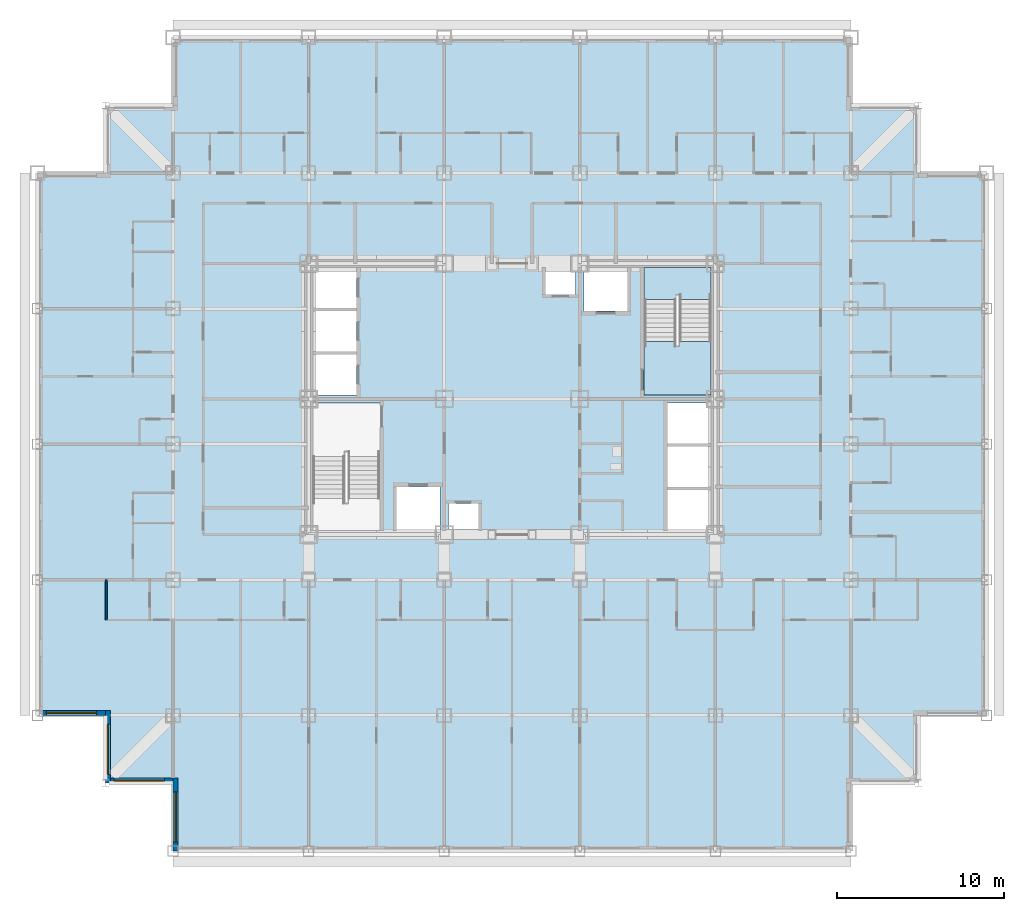
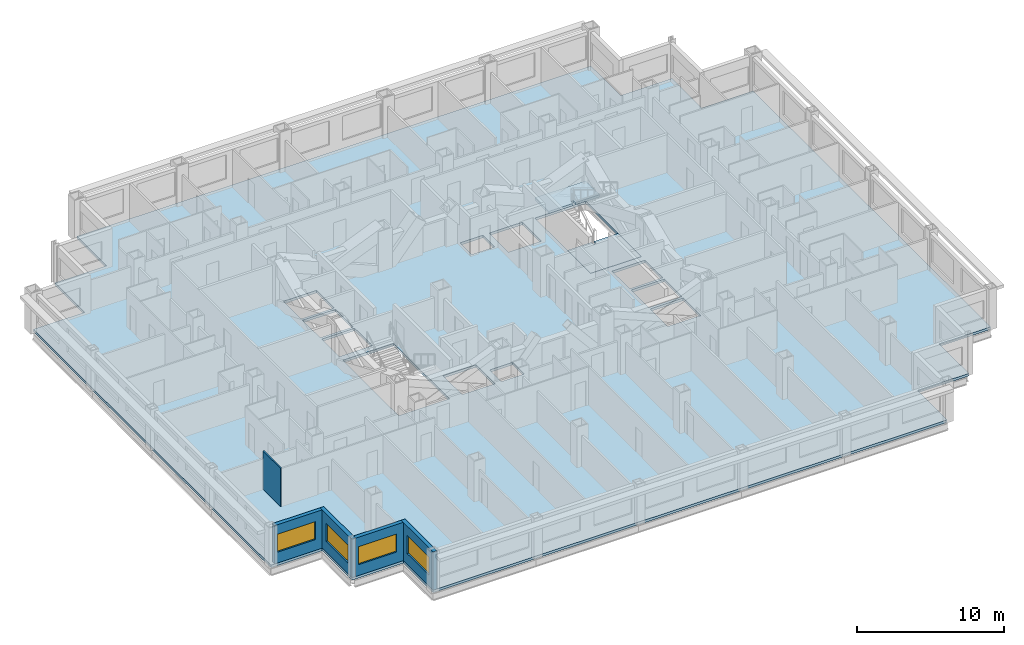
# One storey, part 3 of 14: 5 walls, 4 windows, 3 slabs, 4 openings, 1 element without a shape of its own.
"""IFC4 building model written with IfcOpenShell, lengths in metres."""

from ifc_helpers import new_model, si_unit, direction, frame, frame_2d, origin, place, context, subcontext, project, spatial, polyline, rectangle, outline, extrude, material, layer, layer_set, type_object, element, fill, aggregate, save


model = new_model("IFC4")

# Units and contexts
model_context = context("Model", 3, precision=1e-05, world=origin(), true_north=direction((0.0, 1.0)))
body_context = subcontext(model_context, "Body", "Model", "MODEL_VIEW")
ifc_project = project(units=[si_unit("LENGTHUNIT", "METRE"), si_unit("AREAUNIT", "SQUARE_METRE"), si_unit("VOLUMEUNIT", "CUBIC_METRE"), si_unit("PLANEANGLEUNIT", "RADIAN"), si_unit("MASSUNIT", "GRAM", prefix="KILO")], contexts=[model_context])

# Site, building, storey
site_placement = place(None, origin())
site = spatial("IfcSite", under=ifc_project, at=site_placement, CompositionType="ELEMENT")
building_placement = place(site_placement, origin())
building = spatial("IfcBuilding", under=site, at=building_placement, Name="Kopane Lantern Tower", CompositionType="ELEMENT")
storey_placement = place(building_placement, frame((0.0, 0.0, 127.199951171875)))
storey = spatial("IfcBuildingStorey", under=building, at=storey_placement, Name="L32", CompositionType="ELEMENT", Elevation=127.199951171875)

# Slab
ifc_material_1 = material(Name="Concrete C40/50", Category="concrete")
ifc_layer_1 = layer(ifc_material_1, 0.2099609375)
ifc_layer_set_1 = layer_set([ifc_layer_1], Name="SLAB 210 COMPOSITE")
slab_type_1 = type_object("IfcSlabType", Name="SLAB 210 COMPOSITE", PredefinedType="FLOOR", material=ifc_layer_set_1)
slab_1_placement = place(storey_placement, frame((0.0, 0.0, -0.2099609375)))
element("IfcSlab", 1, at=slab_1_placement, inside=storey, type_object=slab_type_1, Name="Floor slab L32", PredefinedType="FLOOR", context=body_context, shape_type="SweptSolid", body=[
    extrude(outline(polyline([(8.10009765625, 5.39990234375), (48.60009765625, 5.39990234375), (48.60009765625, 9.449951171875), (52.64990234375, 9.449951171875), (52.64990234375, 13.5), (56.699951171875, 13.5), (56.699951171875, 45.89990234375), (52.64990234375, 45.89990234375), (52.64990234375, 49.949951171875), (48.60009765625, 49.949951171875), (48.60009765625, 54.0), (8.10009765625, 54.0), (8.10009765625, 49.949951171875), (4.050048828125, 49.949951171875), (4.050048828125, 45.89990234375), (0.0, 45.89990234375), (0.0, 13.5), (4.050048828125, 13.5), (4.050048828125, 9.449951171875), (8.10009765625, 9.449951171875), (8.10009765625, 5.39990234375)]), holes=[polyline([(16.449951171875, 24.550048828125), (20.449951171875, 24.550048828125), (20.449951171875, 32.14990234375), (16.449951171875, 32.14990234375), (16.449951171875, 24.550048828125)]), polyline([(36.25, 32.64990234375), (40.25, 32.64990234375), (40.25, 40.25), (36.25, 40.25), (36.25, 32.64990234375)]), polyline([(16.449951171875, 32.64990234375), (19.050048828125, 32.64990234375), (19.050048828125, 35.050048828125), (16.449951171875, 35.050048828125), (16.449951171875, 32.64990234375)]), polyline([(16.449951171875, 35.25), (19.050048828125, 35.25), (19.050048828125, 37.64990234375), (16.449951171875, 37.64990234375), (16.449951171875, 35.25)]), polyline([(16.449951171875, 37.85009765625), (19.050048828125, 37.85009765625), (19.050048828125, 40.25), (16.449951171875, 40.25), (16.449951171875, 37.85009765625)]), polyline([(37.64990234375, 24.550048828125), (40.25, 24.550048828125), (40.25, 26.949951171875), (37.64990234375, 26.949951171875), (37.64990234375, 24.550048828125)]), polyline([(37.64990234375, 27.14990234375), (40.25, 27.14990234375), (40.25, 29.550048828125), (37.64990234375, 29.550048828125), (37.64990234375, 27.14990234375)]), polyline([(37.64990234375, 29.75), (40.25, 29.75), (40.25, 32.14990234375), (37.64990234375, 32.14990234375), (37.64990234375, 29.75)]), polyline([(21.449951171875, 24.550048828125), (24.050048828125, 24.550048828125), (24.050048828125, 27.14990234375), (21.449951171875, 27.14990234375), (21.449951171875, 24.550048828125)]), polyline([(32.64990234375, 37.64990234375), (35.25, 37.64990234375), (35.25, 40.25), (32.64990234375, 40.25), (32.64990234375, 37.64990234375)]), polyline([(24.550048828125, 24.550048828125), (26.35009765625, 24.550048828125), (26.35009765625, 26.14990234375), (24.550048828125, 26.14990234375), (24.550048828125, 24.550048828125)]), polyline([(30.35009765625, 38.64990234375), (32.14990234375, 38.64990234375), (32.14990234375, 40.25), (30.35009765625, 40.25), (30.35009765625, 38.64990234375)])]), origin(), (0.0, 0.0, 1.0), 0.2099609375),
])

# Stair, slabs
ifc_material_2 = material(Name="Steel S355JR", Category="steel")
stair_type = type_object("IfcStairType", Name="EXIT STAIR 1900 HALF TURN", PredefinedType="HALF_TURN_STAIR", material=ifc_material_2)
stair_placement = place(storey_placement, origin())
stair = element("IfcStair", 2, at=stair_placement, inside=storey, type_object=stair_type, Name="Exit stair ST2 L32", PredefinedType="HALF_TURN_STAIR")
ifc_material_3 = material(Name="Concrete C40/50", Category="concrete")
ifc_layer_2 = layer(ifc_material_3, 0.199951171875)
ifc_layer_set_2 = layer_set([ifc_layer_2], Name="STAIR LANDING 200")
slab_type_2 = type_object("IfcSlabType", Name="STAIR LANDING 200", PredefinedType="LANDING", material=ifc_layer_set_2)
slab_2_placement = place(storey_placement, frame((0.0, 0.0, -0.199951171875)))
slab_2 = element("IfcSlab", 3, at=slab_2_placement, type_object=slab_type_2, Name="ST2 landing 1", PredefinedType="LANDING", context=body_context, shape_type="SweptSolid", body=[
    extrude(outline(polyline([(40.25, 35.830078125), (38.35009765625, 35.830078125), (38.35009765625, 35.550048828125), (38.14990234375, 35.550048828125), (38.14990234375, 35.830078125), (36.25, 35.830078125), (36.25, 32.64990234375), (40.25, 32.64990234375), (40.25, 35.830078125)])), origin(), (0.0, 0.0, 1.0), 0.199951171875),
])
slab_3_placement = place(storey_placement, frame((0.0, 0.0, 1.5)))
slab_3 = element("IfcSlab", 4, at=slab_3_placement, type_object=slab_type_2, Name="ST2 landing 2", PredefinedType="LANDING", context=body_context, shape_type="SweptSolid", body=[
    extrude(outline(polyline([(38.14990234375, 38.6298828125), (38.35009765625, 38.6298828125), (38.35009765625, 38.35009765625), (40.25, 38.35009765625), (40.25, 40.25), (36.25, 40.25), (36.25, 38.35009765625), (38.14990234375, 38.35009765625), (38.14990234375, 38.6298828125)])), origin(), (0.0, 0.0, 1.0), 0.199951171875),
])
aggregate(stair, [slab_2, slab_3])

# Wall
ifc_material_4 = material(Name="Moisture-resistant board on steel studs", Category="steel")
ifc_layer_3 = layer(ifc_material_4, 0.10009765625)
ifc_layer_set_3 = layer_set([ifc_layer_3], Name="BATHROOM WALL 100")
wall_type_1 = type_object("IfcWallType", Name="BATHROOM WALL 100", PredefinedType="PARTITIONING", material=ifc_layer_set_3)
wall_1_placement = place(storey_placement, frame((4.10009765625, 21.60009765625, 0.0), z_axis=(0.0, 0.0, 1.0), x_axis=(0.0, -1.0, 0.0)))
element("IfcWall", 5, at=wall_1_placement, inside=storey, type_object=wall_type_1, Name="Bathroom Wall 100 L32", PredefinedType="PARTITIONING", context=body_context, shape_type="SweptSolid", body=[
    extrude(rectangle(XDim=2.400146484375, YDim=0.10009765625, at=frame_2d((1.2001953125, 0.0))), origin(), (0.0, 0.0, 1.0), 3.18994140625),
])

# Wall, opening, window
ifc_material_5 = material(Name="Terracotta rainscreen on light steel framing", Category="masonry")
ifc_layer_4 = layer(ifc_material_5, 0.300048828125)
ifc_layer_set_4 = layer_set([ifc_layer_4], Name="EXTERNAL WALL EW1 300 TERRACOTTA")
wall_type_2 = type_object("IfcWallType", Name="EXTERNAL WALL EW1 300 TERRACOTTA", PredefinedType="SOLIDWALL", material=ifc_layer_set_4)
wall_2_placement = place(storey_placement, frame((0.300048828125, 13.64990234375, 0.0), z_axis=(0.0, 0.0, 1.0), x_axis=(1.0, 0.0, 0.0)))
wall_2 = element("IfcWall", 6, at=wall_2_placement, inside=storey, type_object=wall_type_2, Name="External wall S L32", PredefinedType="SOLIDWALL", context=body_context, shape_type="SweptSolid", body=[
    extrude(rectangle(XDim=3.75, YDim=0.300048828125, at=frame_2d((1.875, 0.0))), origin(), (0.0, 0.0, 1.0), 3.18994140625),
])
opening_1_placement = place(wall_2_placement, frame((0.22509765625, 0.0, 0.89990234375)))
opening_1 = element("IfcOpeningElement", 7, at=opening_1_placement, cuts=wall_2, Name="Opening WR300150", PredefinedType="OPENING", context=body_context, shape_type="SweptSolid", body=[
    extrude(rectangle(XDim=3.0, YDim=1.5, at=frame_2d((1.5, 0.75))), frame((0.0, 0.159912109375, 0.0), z_axis=(0.0, -1.0, 0.0), x_axis=(1.0, 0.0, 0.0)), (0.0, 0.0, 1.0), 0.320068359375),
])
ifc_material_6 = material(Name="Aluminium and clear glass", Category="aluminium")
window_type = type_object("IfcWindowType", Name="RIBBON WINDOW WR300150 3000x1500", PartitioningType="SINGLE_PANEL", PredefinedType="WINDOW", material=ifc_material_6)
window_1_placement = place(opening_1_placement, origin())
window_1 = element("IfcWindow", 8, at=window_1_placement, inside=storey, type_object=window_type, Name="Window S L32", OverallHeight=1.5, OverallWidth=3.0, PartitioningType="SINGLE_PANEL", PredefinedType="WINDOW", context=body_context, shape_type="SweptSolid", body=[
    extrude(rectangle(XDim=3.0, YDim=1.5, at=frame_2d((1.5, 0.75))), frame((0.0, 0.030029296875, 0.0), z_axis=(0.0, -1.0, 0.0), x_axis=(1.0, 0.0, 0.0)), (0.0, 0.0, 1.0), 0.06005859375),
])
fill(opening_1, window_1)

wall_3_placement = place(storey_placement, frame((4.199951171875, 13.800048828125, 0.0), z_axis=(0.0, 0.0, 1.0), x_axis=(0.0, -1.0, 0.0)))
wall_3 = element("IfcWall", 9, at=wall_3_placement, inside=storey, type_object=wall_type_2, Name="External wall W L32", PredefinedType="SOLIDWALL", context=body_context, shape_type="SweptSolid", body=[
    extrude(rectangle(XDim=4.35009765625, YDim=0.300048828125, at=frame_2d((2.175048828125, 0.0))), origin(), (0.0, 0.0, 1.0), 3.18994140625),
])
opening_2_placement = place(wall_3_placement, frame((0.824951171875, 0.0, 0.89990234375)))
opening_2 = element("IfcOpeningElement", 10, at=opening_2_placement, cuts=wall_3, Name="Opening WR300150", PredefinedType="OPENING", context=body_context, shape_type="SweptSolid", body=[
    extrude(rectangle(XDim=3.0, YDim=1.5, at=frame_2d((1.5, 0.75))), frame((0.0, 0.159912109375, 0.0), z_axis=(0.0, -1.0, 0.0), x_axis=(1.0, 0.0, 0.0)), (0.0, 0.0, 1.0), 0.320068359375),
])
window_2_placement = place(opening_2_placement, origin())
window_2 = element("IfcWindow", 11, at=window_2_placement, inside=storey, type_object=window_type, Name="Window W L32", OverallHeight=1.5, OverallWidth=3.0, PartitioningType="SINGLE_PANEL", PredefinedType="WINDOW", context=body_context, shape_type="SweptSolid", body=[
    extrude(rectangle(XDim=3.0, YDim=1.5, at=frame_2d((1.5, 0.75))), frame((0.0, 0.030029296875, 0.0), z_axis=(0.0, -1.0, 0.0), x_axis=(1.0, 0.0, 0.0)), (0.0, 0.0, 1.0), 0.06005859375),
])
fill(opening_2, window_2)

wall_4_placement = place(storey_placement, frame((4.35009765625, 9.60009765625, 0.0), z_axis=(0.0, 0.0, 1.0), x_axis=(1.0, 0.0, 0.0)))
wall_4 = element("IfcWall", 12, at=wall_4_placement, inside=storey, type_object=wall_type_2, Name="External wall S L32", PredefinedType="SOLIDWALL", context=body_context, shape_type="SweptSolid", body=[
    extrude(rectangle(XDim=3.75, YDim=0.300048828125, at=frame_2d((1.875, 0.0))), origin(), (0.0, 0.0, 1.0), 3.18994140625),
])
opening_3_placement = place(wall_4_placement, frame((0.22509765625, 0.0, 0.89990234375)))
opening_3 = element("IfcOpeningElement", 13, at=opening_3_placement, cuts=wall_4, Name="Opening WR300150", PredefinedType="OPENING", context=body_context, shape_type="SweptSolid", body=[
    extrude(rectangle(XDim=3.0, YDim=1.5, at=frame_2d((1.5, 0.75))), frame((0.0, 0.159912109375, 0.0), z_axis=(0.0, -1.0, 0.0), x_axis=(1.0, 0.0, 0.0)), (0.0, 0.0, 1.0), 0.320068359375),
])
window_3_placement = place(opening_3_placement, origin())
window_3 = element("IfcWindow", 14, at=window_3_placement, inside=storey, type_object=window_type, Name="Window S L32", OverallHeight=1.5, OverallWidth=3.0, PartitioningType="SINGLE_PANEL", PredefinedType="WINDOW", context=body_context, shape_type="SweptSolid", body=[
    extrude(rectangle(XDim=3.0, YDim=1.5, at=frame_2d((1.5, 0.75))), frame((0.0, 0.030029296875, 0.0), z_axis=(0.0, -1.0, 0.0), x_axis=(1.0, 0.0, 0.0)), (0.0, 0.0, 1.0), 0.06005859375),
])
fill(opening_3, window_3)

wall_5_placement = place(storey_placement, frame((8.25, 9.75, 0.0), z_axis=(0.0, 0.0, 1.0), x_axis=(0.0, -1.0, 0.0)))
wall_5 = element("IfcWall", 15, at=wall_5_placement, inside=storey, type_object=wall_type_2, Name="External wall W L32", PredefinedType="SOLIDWALL", context=body_context, shape_type="SweptSolid", body=[
    extrude(rectangle(XDim=4.35009765625, YDim=0.300048828125, at=frame_2d((2.175048828125, 0.0))), origin(), (0.0, 0.0, 1.0), 3.18994140625),
])
opening_4_placement = place(wall_5_placement, frame((0.824951171875, 0.0, 0.89990234375)))
opening_4 = element("IfcOpeningElement", 16, at=opening_4_placement, cuts=wall_5, Name="Opening WR300150", PredefinedType="OPENING", context=body_context, shape_type="SweptSolid", body=[
    extrude(rectangle(XDim=3.0, YDim=1.5, at=frame_2d((1.5, 0.75))), frame((0.0, 0.159912109375, 0.0), z_axis=(0.0, -1.0, 0.0), x_axis=(1.0, 0.0, 0.0)), (0.0, 0.0, 1.0), 0.320068359375),
])
window_4_placement = place(opening_4_placement, origin())
window_4 = element("IfcWindow", 17, at=window_4_placement, inside=storey, type_object=window_type, Name="Window W L32", OverallHeight=1.5, OverallWidth=3.0, PartitioningType="SINGLE_PANEL", PredefinedType="WINDOW", context=body_context, shape_type="SweptSolid", body=[
    extrude(rectangle(XDim=3.0, YDim=1.5, at=frame_2d((1.5, 0.75))), frame((0.0, 0.030029296875, 0.0), z_axis=(0.0, -1.0, 0.0), x_axis=(1.0, 0.0, 0.0)), (0.0, 0.0, 1.0), 0.06005859375),
])
fill(opening_4, window_4)

save(model, "model.ifc")
